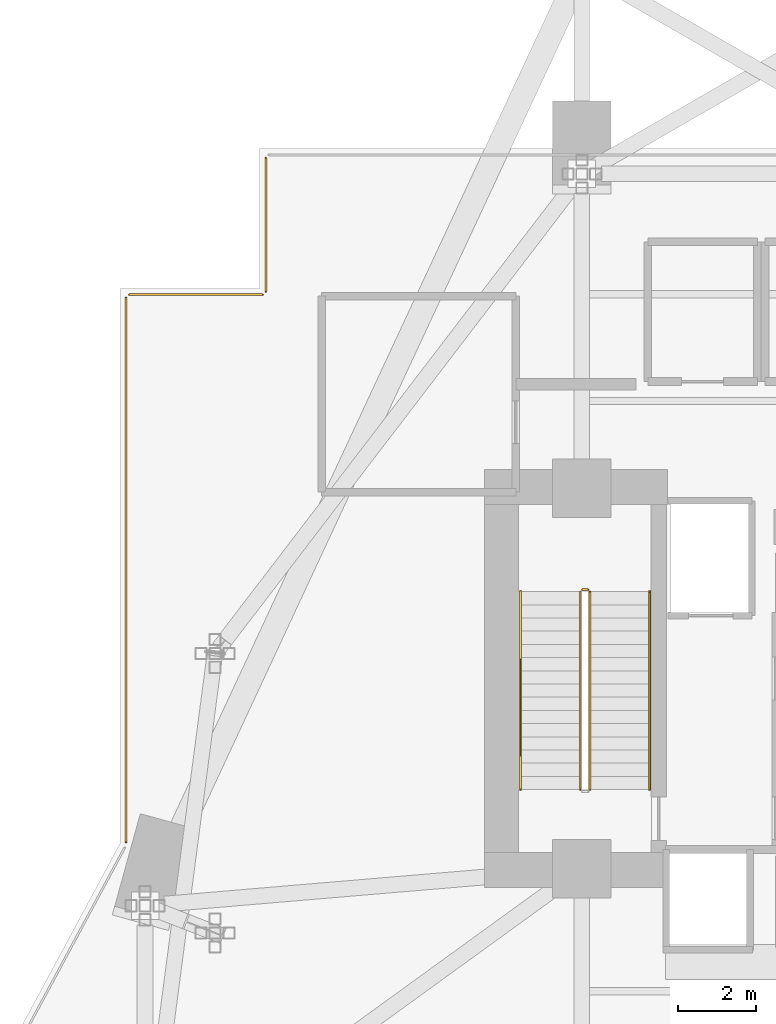
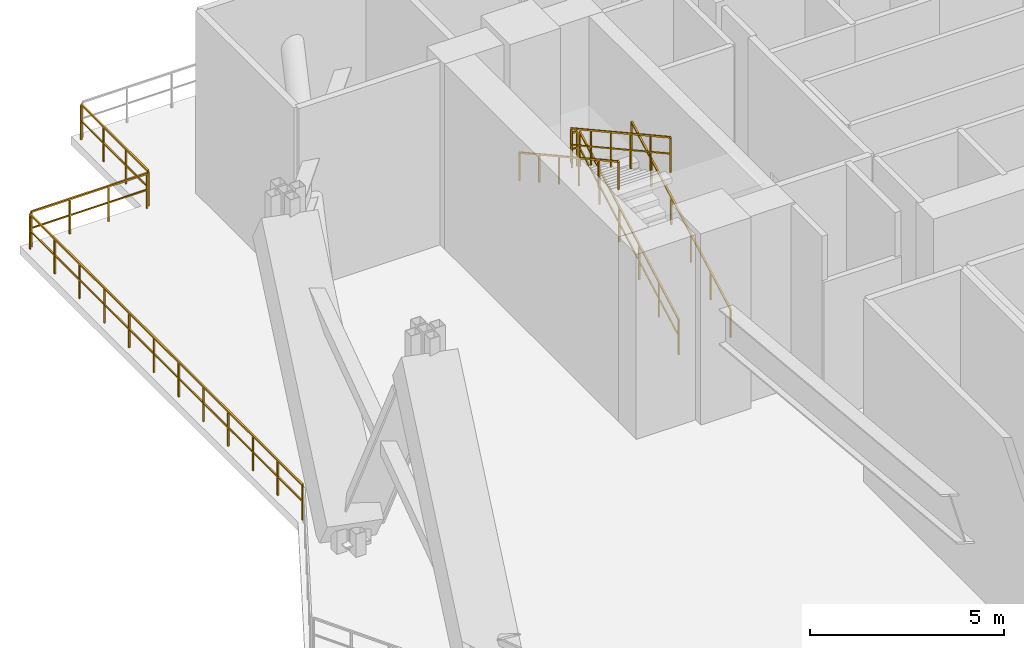
# One storey, part 19 of 21: 8 railings.
"""IFC4 building model written with IfcOpenShell, lengths in metres."""

from ifc_helpers import new_model, si_unit, direction, frame, origin, origin_2d, place, context, subcontext, project, spatial, rectangle, extrude, material, type_object, element, save


model = new_model("IFC4")

# Units and contexts
model_context = context("Model", 3, precision=1e-05, world=origin(), true_north=direction((0.0, 1.0)))
body_context = subcontext(model_context, "Body", "Model", "MODEL_VIEW")
ifc_project = project(units=[si_unit("LENGTHUNIT", "METRE"), si_unit("AREAUNIT", "SQUARE_METRE"), si_unit("VOLUMEUNIT", "CUBIC_METRE"), si_unit("PLANEANGLEUNIT", "RADIAN"), si_unit("MASSUNIT", "GRAM", prefix="KILO")], contexts=[model_context])

# Site, building, storey
site_placement = place(None, origin())
site = spatial("IfcSite", under=ifc_project, at=site_placement, CompositionType="ELEMENT")
building_placement = place(site_placement, origin())
building = spatial("IfcBuilding", under=site, at=building_placement, Name="Zuhayl Quay Hotel", CompositionType="ELEMENT")
storey_placement = place(building_placement, frame((0.0, 0.0, 89.64990234375)))
storey = spatial("IfcBuildingStorey", under=building, at=storey_placement, Name="L22", CompositionType="ELEMENT", Elevation=89.64990234375)

# Railings
ifc_material_1 = material(Name="Anodised Aluminium and Laminated Glass", Category="aluminium")
railing_type_1 = type_object("IfcRailingType", Name="RL_EXT_BAL_1100", PredefinedType="BALUSTRADE", material=ifc_material_1)
railing_1_placement = place(storey_placement, frame((-25.5400390625, 5.23974609375, 0.0)))
element("IfcRailing", 1, at=railing_1_placement, inside=storey, type_object=railing_type_1, Name="L22 Balcony and Terrace Guard GR_WIND_L22_06", PredefinedType="BALUSTRADE", context=body_context, shape_type="SweptSolid", body=[
    extrude(rectangle(XDim=0.048095703125, YDim=0.048095703125, at=origin_2d()), frame((0.0, 0.0, 1.09619140625), z_axis=(0.0, 1.0, 0.0), x_axis=(-1.0, 0.0, 0.0)), (0.0, 0.0, 1.0), 14.020263671875),
    extrude(rectangle(XDim=0.0361328125, YDim=0.0361328125, at=origin_2d()), frame((0.0, 0.0, 0.58251953125), z_axis=(0.0, 1.0, 0.0), x_axis=(-1.0, 0.0, 0.0)), (0.0, 0.0, 1.0), 14.020263671875),
    extrude(rectangle(XDim=0.0419921875, YDim=0.0419921875, at=origin_2d()), origin(), (0.0, 0.0, 1.0), 1.072021484375),
    extrude(rectangle(XDim=0.0419921875, YDim=0.0419921875, at=origin_2d()), frame((0.0, 1.274658203125, 0.0)), (0.0, 0.0, 1.0), 1.072021484375),
    extrude(rectangle(XDim=0.0419921875, YDim=0.0419921875, at=origin_2d()), frame((0.0, 2.549072265625, 0.0)), (0.0, 0.0, 1.0), 1.072021484375),
    extrude(rectangle(XDim=0.0419921875, YDim=0.0419921875, at=origin_2d()), frame((0.0, 3.82373046875, 0.0)), (0.0, 0.0, 1.0), 1.072021484375),
    extrude(rectangle(XDim=0.0419921875, YDim=0.0419921875, at=origin_2d()), frame((0.0, 5.098388671875, 0.0)), (0.0, 0.0, 1.0), 1.072021484375),
    extrude(rectangle(XDim=0.0419921875, YDim=0.0419921875, at=origin_2d()), frame((0.0, 6.372802734375, 0.0)), (0.0, 0.0, 1.0), 1.072021484375),
    extrude(rectangle(XDim=0.0419921875, YDim=0.0419921875, at=origin_2d()), frame((0.0, 7.6474609375, 0.0)), (0.0, 0.0, 1.0), 1.072021484375),
    extrude(rectangle(XDim=0.0419921875, YDim=0.0419921875, at=origin_2d()), frame((0.0, 8.921875, 0.0)), (0.0, 0.0, 1.0), 1.072021484375),
    extrude(rectangle(XDim=0.0419921875, YDim=0.0419921875, at=origin_2d()), frame((0.0, 10.196533203125, 0.0)), (0.0, 0.0, 1.0), 1.072021484375),
    extrude(rectangle(XDim=0.0419921875, YDim=0.0419921875, at=origin_2d()), frame((0.0, 11.47119140625, 0.0)), (0.0, 0.0, 1.0), 1.072021484375),
    extrude(rectangle(XDim=0.0419921875, YDim=0.0419921875, at=origin_2d()), frame((0.0, 12.74560546875, 0.0)), (0.0, 0.0, 1.0), 1.072021484375),
    extrude(rectangle(XDim=0.0419921875, YDim=0.0419921875, at=origin_2d()), frame((0.0, 14.020263671875, 0.0)), (0.0, 0.0, 1.0), 1.072021484375),
])
railing_2_placement = place(storey_placement, frame((-25.4599609375, 19.340087890625, 0.0)))
element("IfcRailing", 2, at=railing_2_placement, inside=storey, type_object=railing_type_1, Name="L22 Balcony and Terrace Guard GR_WIND_L22_07", PredefinedType="BALUSTRADE", context=body_context, shape_type="SweptSolid", body=[
    extrude(rectangle(XDim=0.048095703125, YDim=0.048095703125, at=origin_2d()), frame((0.0, 0.0, 1.09619140625), z_axis=(1.0, 0.0, 0.0), x_axis=(0.0, 1.0, 0.0)), (0.0, 0.0, 1.0), 3.43994140625),
    extrude(rectangle(XDim=0.0361328125, YDim=0.0361328125, at=origin_2d()), frame((0.0, 0.0, 0.58251953125), z_axis=(1.0, 0.0, 0.0), x_axis=(0.0, 1.0, 0.0)), (0.0, 0.0, 1.0), 3.43994140625),
    extrude(rectangle(XDim=0.0419921875, YDim=0.0419921875, at=origin_2d()), origin(), (0.0, 0.0, 1.0), 1.072021484375),
    extrude(rectangle(XDim=0.0419921875, YDim=0.0419921875, at=origin_2d()), frame((1.146728515625, 0.0, 0.0)), (0.0, 0.0, 1.0), 1.072021484375),
    extrude(rectangle(XDim=0.0419921875, YDim=0.0419921875, at=origin_2d()), frame((2.293212890625, 0.0, 0.0)), (0.0, 0.0, 1.0), 1.072021484375),
    extrude(rectangle(XDim=0.0419921875, YDim=0.0419921875, at=origin_2d()), frame((3.43994140625, 0.0, 0.0)), (0.0, 0.0, 1.0), 1.072021484375),
])
railing_3_placement = place(storey_placement, frame((-21.93994140625, 19.419921875, 0.0)))
element("IfcRailing", 3, at=railing_3_placement, inside=storey, type_object=railing_type_1, Name="L22 Balcony and Terrace Guard GR_WIND_L22_08", PredefinedType="BALUSTRADE", context=body_context, shape_type="SweptSolid", body=[
    extrude(rectangle(XDim=0.048095703125, YDim=0.048095703125, at=origin_2d()), frame((0.0, 0.0, 1.09619140625), z_axis=(0.0, 1.0, 0.0), x_axis=(-1.0, 0.0, 0.0)), (0.0, 0.0, 1.0), 3.440185546875),
    extrude(rectangle(XDim=0.0361328125, YDim=0.0361328125, at=origin_2d()), frame((0.0, 0.0, 0.58251953125), z_axis=(0.0, 1.0, 0.0), x_axis=(-1.0, 0.0, 0.0)), (0.0, 0.0, 1.0), 3.440185546875),
    extrude(rectangle(XDim=0.0419921875, YDim=0.0419921875, at=origin_2d()), origin(), (0.0, 0.0, 1.0), 1.072021484375),
    extrude(rectangle(XDim=0.0419921875, YDim=0.0419921875, at=origin_2d()), frame((0.0, 1.146728515625, 0.0)), (0.0, 0.0, 1.0), 1.072021484375),
    extrude(rectangle(XDim=0.0419921875, YDim=0.0419921875, at=origin_2d()), frame((0.0, 2.29345703125, 0.0)), (0.0, 0.0, 1.0), 1.072021484375),
    extrude(rectangle(XDim=0.0419921875, YDim=0.0419921875, at=origin_2d()), frame((0.0, 3.440185546875, 0.0)), (0.0, 0.0, 1.0), 1.072021484375),
])
ifc_material_2 = material(Name="Steel ASTM A992 Grade 50", Category="steel")
railing_type_2 = type_object("IfcRailingType", Name="RL_GUARD_1100", PredefinedType="GUARDRAIL", material=ifc_material_2)
railing_4_placement = place(storey_placement, frame((-13.590087890625, 6.590087890625, 0.1875)))
element("IfcRailing", 4, at=railing_4_placement, inside=storey, type_object=railing_type_2, Name="L22 ST1 stair guard 1", PredefinedType="GUARDRAIL", context=body_context, shape_type="SweptSolid", body=[
    extrude(rectangle(XDim=0.048095703125, YDim=0.048095703125, at=origin_2d()), frame((0.0, 0.0, 1.09619140625), z_axis=(0.0, 0.875665712831, 0.482917756322), x_axis=(-1.0, 0.0, 0.0)), (0.0, 0.0, 1.0), 5.823974609375),
    extrude(rectangle(XDim=0.0361328125, YDim=0.0361328125, at=origin_2d()), frame((0.0, 0.0, 0.58251953125), z_axis=(0.0, 0.875665712831, 0.482917756322), x_axis=(-1.0, 0.0, 0.0)), (0.0, 0.0, 1.0), 5.823974609375),
    extrude(rectangle(XDim=0.0419921875, YDim=0.0419921875, at=origin_2d()), origin(), (0.0, 0.0, 1.0), 1.072021484375),
    extrude(rectangle(XDim=0.0419921875, YDim=0.0419921875, at=origin_2d()), frame((0.0, 1.02001953125, 0.5625)), (0.0, 0.0, 1.0), 1.072021484375),
    extrude(rectangle(XDim=0.0419921875, YDim=0.0419921875, at=origin_2d()), frame((0.0, 2.0400390625, 1.125)), (0.0, 0.0, 1.0), 1.072021484375),
    extrude(rectangle(XDim=0.0419921875, YDim=0.0419921875, at=origin_2d()), frame((0.0, 3.059814453125, 1.6875)), (0.0, 0.0, 1.0), 1.072021484375),
    extrude(rectangle(XDim=0.0419921875, YDim=0.0419921875, at=origin_2d()), frame((0.0, 4.079833984375, 2.25)), (0.0, 0.0, 1.0), 1.072021484375),
    extrude(rectangle(XDim=0.0419921875, YDim=0.0419921875, at=origin_2d()), frame((0.0, 5.099853515625, 2.8125)), (0.0, 0.0, 1.0), 1.072021484375),
])
railing_5_placement = place(storey_placement, frame((-13.639892578125, 11.739990234375, 3.0)))
element("IfcRailing", 5, at=railing_5_placement, inside=storey, type_object=railing_type_2, Name="L22 ST1 stair guard 2", PredefinedType="GUARDRAIL", context=body_context, shape_type="SweptSolid", body=[
    extrude(rectangle(XDim=0.048095703125, YDim=0.048095703125, at=origin_2d()), frame((0.0, 0.0, 1.09619140625), z_axis=(-1.0, 0.0, 0.0), x_axis=(0.0, -1.0, 0.0)), (0.0, 0.0, 1.0), 0.150146484375),
    extrude(rectangle(XDim=0.0361328125, YDim=0.0361328125, at=origin_2d()), frame((0.0, 0.0, 0.58251953125), z_axis=(-1.0, 0.0, 0.0), x_axis=(0.0, -1.0, 0.0)), (0.0, 0.0, 1.0), 0.150146484375),
    extrude(rectangle(XDim=0.0419921875, YDim=0.0419921875, at=origin_2d()), origin(), (0.0, 0.0, 1.0), 1.072021484375),
    extrude(rectangle(XDim=0.0419921875, YDim=0.0419921875, at=origin_2d()), frame((-0.150146484375, 0.0, 0.0)), (0.0, 0.0, 1.0), 1.072021484375),
])
railing_6_placement = place(storey_placement, frame((-13.840087890625, 11.68994140625, 3.1875)))
element("IfcRailing", 6, at=railing_6_placement, inside=storey, type_object=railing_type_2, Name="L22 ST1 stair guard 3", PredefinedType="GUARDRAIL", context=body_context, shape_type="SweptSolid", body=[
    extrude(rectangle(XDim=0.048095703125, YDim=0.048095703125, at=origin_2d()), frame((0.0, 0.0, 1.09619140625), z_axis=(0.0, -0.875665712831, 0.482917756322), x_axis=(1.0, 0.0, 0.0)), (0.0, 0.0, 1.0), 5.823974609375),
    extrude(rectangle(XDim=0.0361328125, YDim=0.0361328125, at=origin_2d()), frame((0.0, 0.0, 0.58251953125), z_axis=(0.0, -0.875665712831, 0.482917756322), x_axis=(1.0, 0.0, 0.0)), (0.0, 0.0, 1.0), 5.823974609375),
    extrude(rectangle(XDim=0.0419921875, YDim=0.0419921875, at=origin_2d()), origin(), (0.0, 0.0, 1.0), 1.072021484375),
    extrude(rectangle(XDim=0.0419921875, YDim=0.0419921875, at=origin_2d()), frame((0.0, -1.02001953125, 0.5625)), (0.0, 0.0, 1.0), 1.072021484375),
    extrude(rectangle(XDim=0.0419921875, YDim=0.0419921875, at=origin_2d()), frame((0.0, -2.0400390625, 1.125)), (0.0, 0.0, 1.0), 1.072021484375),
    extrude(rectangle(XDim=0.0419921875, YDim=0.0419921875, at=origin_2d()), frame((0.0, -3.059814453125, 1.6875)), (0.0, 0.0, 1.0), 1.072021484375),
    extrude(rectangle(XDim=0.0419921875, YDim=0.0419921875, at=origin_2d()), frame((0.0, -4.079833984375, 2.25)), (0.0, 0.0, 1.0), 1.072021484375),
    extrude(rectangle(XDim=0.0419921875, YDim=0.0419921875, at=origin_2d()), frame((0.0, -5.099853515625, 2.8125)), (0.0, 0.0, 1.0), 1.072021484375),
])
railing_type_3 = type_object("IfcRailingType", Name="RL_HANDRAIL_920", PredefinedType="HANDRAIL", material=ifc_material_2)
railing_7_placement = place(storey_placement, frame((-12.050048828125, 6.590087890625, 0.1875)))
element("IfcRailing", 7, at=railing_7_placement, inside=storey, type_object=railing_type_3, Name="L22 ST1 stair handrail 1", PredefinedType="HANDRAIL", context=body_context, shape_type="SweptSolid", body=[
    extrude(rectangle(XDim=0.048095703125, YDim=0.048095703125, at=origin_2d()), frame((0.0, 0.0, 0.8759765625), z_axis=(0.0, 0.875665712831, 0.482917756322), x_axis=(-1.0, 0.0, 0.0)), (0.0, 0.0, 1.0), 5.823974609375),
    extrude(rectangle(XDim=0.0419921875, YDim=0.0419921875, at=origin_2d()), origin(), (0.0, 0.0, 1.0), 0.851806640625),
    extrude(rectangle(XDim=0.0419921875, YDim=0.0419921875, at=origin_2d()), frame((0.0, 1.02001953125, 0.5625)), (0.0, 0.0, 1.0), 0.851806640625),
    extrude(rectangle(XDim=0.0419921875, YDim=0.0419921875, at=origin_2d()), frame((0.0, 2.0400390625, 1.125)), (0.0, 0.0, 1.0), 0.851806640625),
    extrude(rectangle(XDim=0.0419921875, YDim=0.0419921875, at=origin_2d()), frame((0.0, 3.059814453125, 1.6875)), (0.0, 0.0, 1.0), 0.851806640625),
    extrude(rectangle(XDim=0.0419921875, YDim=0.0419921875, at=origin_2d()), frame((0.0, 4.079833984375, 2.25)), (0.0, 0.0, 1.0), 0.851806640625),
    extrude(rectangle(XDim=0.0419921875, YDim=0.0419921875, at=origin_2d()), frame((0.0, 5.099853515625, 2.8125)), (0.0, 0.0, 1.0), 0.851806640625),
])
railing_8_placement = place(storey_placement, frame((-15.3798828125, 11.68994140625, 3.1875)))
element("IfcRailing", 8, at=railing_8_placement, inside=storey, type_object=railing_type_3, Name="L22 ST1 stair handrail 2", PredefinedType="HANDRAIL", context=body_context, shape_type="SweptSolid", body=[
    extrude(rectangle(XDim=0.048095703125, YDim=0.048095703125, at=origin_2d()), frame((0.0, 0.0, 0.8759765625), z_axis=(0.0, -0.875665712831, 0.482917756322), x_axis=(1.0, 0.0, 0.0)), (0.0, 0.0, 1.0), 5.823974609375),
    extrude(rectangle(XDim=0.0419921875, YDim=0.0419921875, at=origin_2d()), origin(), (0.0, 0.0, 1.0), 0.851806640625),
    extrude(rectangle(XDim=0.0419921875, YDim=0.0419921875, at=origin_2d()), frame((0.0, -1.02001953125, 0.5625)), (0.0, 0.0, 1.0), 0.851806640625),
    extrude(rectangle(XDim=0.0419921875, YDim=0.0419921875, at=origin_2d()), frame((0.0, -2.0400390625, 1.125)), (0.0, 0.0, 1.0), 0.851806640625),
    extrude(rectangle(XDim=0.0419921875, YDim=0.0419921875, at=origin_2d()), frame((0.0, -3.059814453125, 1.6875)), (0.0, 0.0, 1.0), 0.851806640625),
    extrude(rectangle(XDim=0.0419921875, YDim=0.0419921875, at=origin_2d()), frame((0.0, -4.079833984375, 2.25)), (0.0, 0.0, 1.0), 0.851806640625),
    extrude(rectangle(XDim=0.0419921875, YDim=0.0419921875, at=origin_2d()), frame((0.0, -5.099853515625, 2.8125)), (0.0, 0.0, 1.0), 0.851806640625),
])

save(model, "model.ifc")
